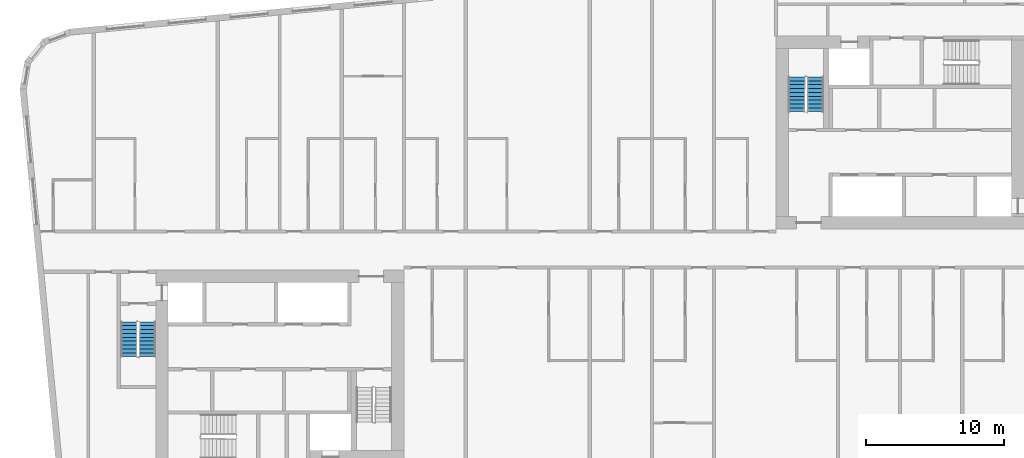
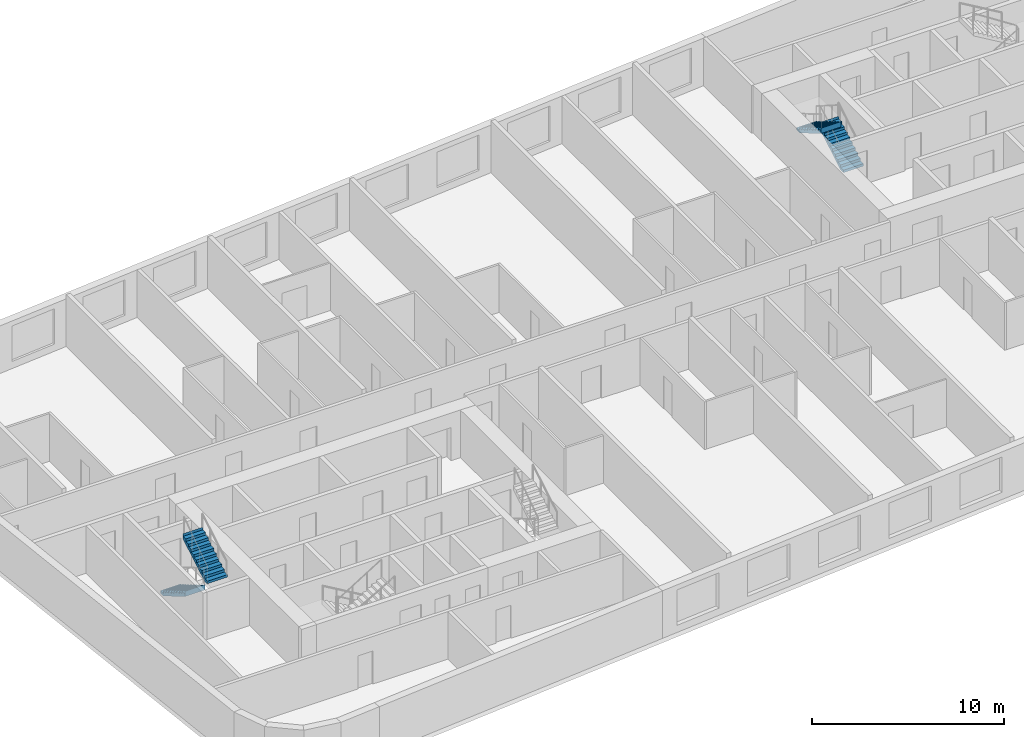
# One storey, part 10 of 12: 4 stair flights, 2 elements without a shape of their own.
"""IFC4 building model written with IfcOpenShell, lengths in metres."""

from ifc_helpers import new_model, si_unit, direction, frame, origin, place, context, subcontext, project, spatial, faceted_brep, material, type_object, element, aggregate, save


model = new_model("IFC4")

# Units and contexts
model_context = context("Model", 3, precision=1e-05, world=origin(), true_north=direction((0.0, 1.0)))
body_context = subcontext(model_context, "Body", "Model", "MODEL_VIEW")
ifc_project = project(units=[si_unit("LENGTHUNIT", "METRE"), si_unit("AREAUNIT", "SQUARE_METRE"), si_unit("VOLUMEUNIT", "CUBIC_METRE"), si_unit("PLANEANGLEUNIT", "RADIAN"), si_unit("MASSUNIT", "GRAM", prefix="KILO")], contexts=[model_context])

# Site, building, storey
site_placement = place(None, origin())
site = spatial("IfcSite", under=ifc_project, at=site_placement, CompositionType="ELEMENT")
building_placement = place(site_placement, origin())
building = spatial("IfcBuilding", under=site, at=building_placement, Name="Kajstack Hotel Tower", CompositionType="ELEMENT")
storey_placement = place(building_placement, frame((0.0, 0.0, 301.5)))
storey = spatial("IfcBuildingStorey", under=building, at=storey_placement, Name="L76", CompositionType="ELEMENT", Elevation=301.5)

# Stair, stair flights
ifc_material = material(Name="Concrete C40/50", Category="concrete")
stair_type = type_object("IfcStairType", Name="Exit stair 1200", PredefinedType="HALF_TURN_STAIR", material=ifc_material)
stair_1_placement = place(storey_placement, origin())
stair_1 = element("IfcStair", 1, at=stair_1_placement, inside=storey, type_object=stair_type, Name="L76 stair W1", PredefinedType="HALF_TURN_STAIR")
stair_flight_type = type_object("IfcStairFlightType", Name="Exit stair flight 1200", PredefinedType="STRAIGHT", material=ifc_material)
stair_flight_1_placement = place(storey_placement, frame((-33.449951171875, -5.25, 0.0), z_axis=(0.0, 0.0, 1.0), x_axis=(0.0, -1.0, 0.0)))
stair_flight_1 = element("IfcStairFlight", 2, at=stair_flight_1_placement, type_object=stair_flight_type, Name="W1 flight 1", NumberOfRisers=10, NumberOfTreads=9, PredefinedType="STRAIGHT", RiserHeight=0.165, TreadLength=0.28, context=body_context, shape_type="Brep", body=[
    faceted_brep([(0.295654296875, -0.60009765625, 0.0), (2.5205078125, -0.60009765625, 1.31103515625), (2.5205078125, -0.60009765625, 1.64990234375), (2.52001953125, -0.60009765625, 1.64990234375), (2.52001953125, -0.60009765625, 1.485107421875), (2.239990234375, -0.60009765625, 1.485107421875), (2.239990234375, -0.60009765625, 1.320068359375), (1.9599609375, -0.60009765625, 1.320068359375), (1.9599609375, -0.60009765625, 1.155029296875), (1.679931640625, -0.60009765625, 1.155029296875), (1.679931640625, -0.60009765625, 0.989990234375), (1.39990234375, -0.60009765625, 0.989990234375), (1.39990234375, -0.60009765625, 0.824951171875), (1.1201171875, -0.60009765625, 0.824951171875), (1.1201171875, -0.60009765625, 0.659912109375), (0.840087890625, -0.60009765625, 0.659912109375), (0.840087890625, -0.60009765625, 0.4951171875), (0.56005859375, -0.60009765625, 0.4951171875), (0.56005859375, -0.60009765625, 0.330078125), (0.280029296875, -0.60009765625, 0.330078125), (0.280029296875, -0.60009765625, 0.1650390625), (-0.00048828125, -0.60009765625, 0.1650390625), (-0.00048828125, -0.60009765625, 0.0), (-0.00048828125, 0.60009765625, 0.0), (-0.00048828125, 0.60009765625, 0.1650390625), (0.280029296875, 0.60009765625, 0.1650390625), (0.280029296875, 0.60009765625, 0.330078125), (0.56005859375, 0.60009765625, 0.330078125), (0.56005859375, 0.60009765625, 0.4951171875), (0.840087890625, 0.60009765625, 0.4951171875), (0.840087890625, 0.60009765625, 0.659912109375), (1.1201171875, 0.60009765625, 0.659912109375), (1.1201171875, 0.60009765625, 0.824951171875), (1.39990234375, 0.60009765625, 0.824951171875), (1.39990234375, 0.60009765625, 0.989990234375), (1.679931640625, 0.60009765625, 0.989990234375), (1.679931640625, 0.60009765625, 1.155029296875), (1.9599609375, 0.60009765625, 1.155029296875), (1.9599609375, 0.60009765625, 1.320068359375), (2.239990234375, 0.60009765625, 1.320068359375), (2.239990234375, 0.60009765625, 1.485107421875), (2.52001953125, 0.60009765625, 1.485107421875), (2.52001953125, 0.60009765625, 1.64990234375), (2.5205078125, 0.60009765625, 1.64990234375), (2.5205078125, 0.60009765625, 1.31103515625), (0.295654296875, 0.60009765625, 0.0), (-0.00048828125, -0.300048828125, 0.1650390625), (-0.00048828125, 0.0, 0.1650390625), (-0.00048828125, 0.300048828125, 0.1650390625), (-0.00048828125, 0.300048828125, 0.0), (-0.00048828125, 0.0, 0.0), (-0.00048828125, -0.300048828125, 0.0), (0.280029296875, -0.300048828125, 0.1650390625), (0.280029296875, 0.0, 0.1650390625), (0.280029296875, 0.300048828125, 0.1650390625), (0.280029296875, -0.300048828125, 0.330078125), (0.280029296875, 0.0, 0.330078125), (0.280029296875, 0.300048828125, 0.330078125), (0.56005859375, -0.300048828125, 0.330078125), (0.56005859375, 0.0, 0.330078125), (0.56005859375, 0.300048828125, 0.330078125), (0.56005859375, -0.300048828125, 0.4951171875), (0.56005859375, 0.0, 0.4951171875), (0.56005859375, 0.300048828125, 0.4951171875), (0.840087890625, -0.300048828125, 0.4951171875), (0.840087890625, 0.0, 0.4951171875), (0.840087890625, 0.300048828125, 0.4951171875), (0.840087890625, -0.300048828125, 0.659912109375), (0.840087890625, 0.0, 0.659912109375), (0.840087890625, 0.300048828125, 0.659912109375), (1.1201171875, -0.300048828125, 0.659912109375), (1.1201171875, 0.0, 0.659912109375), (1.1201171875, 0.300048828125, 0.659912109375), (1.1201171875, -0.300048828125, 0.824951171875), (1.1201171875, 0.0, 0.824951171875), (1.1201171875, 0.300048828125, 0.824951171875), (1.39990234375, -0.300048828125, 0.824951171875), (1.39990234375, 0.0, 0.824951171875), (1.39990234375, 0.300048828125, 0.824951171875), (1.39990234375, -0.300048828125, 0.989990234375), (1.39990234375, 0.0, 0.989990234375), (1.39990234375, 0.300048828125, 0.989990234375), (1.679931640625, -0.300048828125, 0.989990234375), (1.679931640625, 0.0, 0.989990234375), (1.679931640625, 0.300048828125, 0.989990234375), (1.679931640625, -0.300048828125, 1.155029296875), (1.679931640625, 0.0, 1.155029296875), (1.679931640625, 0.300048828125, 1.155029296875), (1.9599609375, -0.300048828125, 1.155029296875), (1.9599609375, 0.0, 1.155029296875), (1.9599609375, 0.300048828125, 1.155029296875), (1.9599609375, -0.300048828125, 1.320068359375), (1.9599609375, 0.0, 1.320068359375), (1.9599609375, 0.300048828125, 1.320068359375), (2.239990234375, -0.300048828125, 1.320068359375), (2.239990234375, 0.0, 1.320068359375), (2.239990234375, 0.300048828125, 1.320068359375), (2.239990234375, -0.300048828125, 1.485107421875), (2.239990234375, 0.0, 1.485107421875), (2.239990234375, 0.300048828125, 1.485107421875), (2.52001953125, -0.300048828125, 1.485107421875), (2.52001953125, 0.0, 1.485107421875), (2.52001953125, 0.300048828125, 1.485107421875), (2.52001953125, -0.300048828125, 1.64990234375), (2.52001953125, 0.0, 1.64990234375), (2.52001953125, 0.300048828125, 1.64990234375), (2.5205078125, -0.300048828125, 1.64990234375), (2.5205078125, 0.0, 1.64990234375), (2.5205078125, 0.300048828125, 1.64990234375), (2.5205078125, -0.300048828125, 1.31103515625), (2.5205078125, 0.0, 1.31103515625), (2.5205078125, 0.300048828125, 1.31103515625), (0.295654296875, -0.300048828125, 0.0), (0.295654296875, 0.0, 0.0), (0.295654296875, 0.300048828125, 0.0)], [[[0, 1, 2, 3, 4, 5, 6, 7, 8, 9, 10, 11, 12, 13, 14, 15, 16, 17, 18, 19, 20, 21, 22]], [[23, 24, 25, 26, 27, 28, 29, 30, 31, 32, 33, 34, 35, 36, 37, 38, 39, 40, 41, 42, 43, 44, 45]], [[21, 46, 47, 48, 24, 23, 49, 50, 51, 22]], [[20, 52, 53, 54, 25, 24, 48, 47, 46, 21]], [[19, 55, 56, 57, 26, 25, 54, 53, 52, 20]], [[18, 58, 59, 60, 27, 26, 57, 56, 55, 19]], [[17, 61, 62, 63, 28, 27, 60, 59, 58, 18]], [[16, 64, 65, 66, 29, 28, 63, 62, 61, 17]], [[15, 67, 68, 69, 30, 29, 66, 65, 64, 16]], [[14, 70, 71, 72, 31, 30, 69, 68, 67, 15]], [[13, 73, 74, 75, 32, 31, 72, 71, 70, 14]], [[12, 76, 77, 78, 33, 32, 75, 74, 73, 13]], [[11, 79, 80, 81, 34, 33, 78, 77, 76, 12]], [[10, 82, 83, 84, 35, 34, 81, 80, 79, 11]], [[9, 85, 86, 87, 36, 35, 84, 83, 82, 10]], [[8, 88, 89, 90, 37, 36, 87, 86, 85, 9]], [[7, 91, 92, 93, 38, 37, 90, 89, 88, 8]], [[6, 94, 95, 96, 39, 38, 93, 92, 91, 7]], [[5, 97, 98, 99, 40, 39, 96, 95, 94, 6]], [[4, 100, 101, 102, 41, 40, 99, 98, 97, 5]], [[3, 103, 104, 105, 42, 41, 102, 101, 100, 4]], [[2, 106, 107, 108, 43, 42, 105, 104, 103, 3]], [[1, 109, 110, 111, 44, 43, 108, 107, 106, 2]], [[0, 112, 113, 114, 45, 44, 111, 110, 109, 1]], [[22, 51, 50, 49, 23, 45, 114, 113, 112, 0]]]),
])
stair_flight_2_placement = place(storey_placement, frame((-32.10009765625, -7.77001953125, 1.64990234375), z_axis=(0.0, 0.0, 1.0), x_axis=(0.0, 1.0, 0.0)))
stair_flight_2 = element("IfcStairFlight", 3, at=stair_flight_2_placement, type_object=stair_flight_type, Name="W1 flight 2", NumberOfRisers=10, NumberOfTreads=9, PredefinedType="STRAIGHT", RiserHeight=0.165, TreadLength=0.28, context=body_context, shape_type="Brep", body=[
    faceted_brep([(0.295654296875, -0.60009765625, 0.0), (2.5205078125, -0.60009765625, 1.31103515625), (2.5205078125, -0.60009765625, 1.64990234375), (2.52001953125, -0.60009765625, 1.64990234375), (2.52001953125, -0.60009765625, 1.485107421875), (2.239990234375, -0.60009765625, 1.485107421875), (2.239990234375, -0.60009765625, 1.320068359375), (1.9599609375, -0.60009765625, 1.320068359375), (1.9599609375, -0.60009765625, 1.155029296875), (1.679931640625, -0.60009765625, 1.155029296875), (1.679931640625, -0.60009765625, 0.989990234375), (1.39990234375, -0.60009765625, 0.989990234375), (1.39990234375, -0.60009765625, 0.824951171875), (1.1201171875, -0.60009765625, 0.824951171875), (1.1201171875, -0.60009765625, 0.659912109375), (0.840087890625, -0.60009765625, 0.659912109375), (0.840087890625, -0.60009765625, 0.4951171875), (0.56005859375, -0.60009765625, 0.4951171875), (0.56005859375, -0.60009765625, 0.330078125), (0.280029296875, -0.60009765625, 0.330078125), (0.280029296875, -0.60009765625, 0.1650390625), (-0.00048828125, -0.60009765625, 0.1650390625), (-0.00048828125, -0.60009765625, 0.0), (-0.00048828125, 0.60009765625, 0.0), (-0.00048828125, 0.60009765625, 0.1650390625), (0.280029296875, 0.60009765625, 0.1650390625), (0.280029296875, 0.60009765625, 0.330078125), (0.56005859375, 0.60009765625, 0.330078125), (0.56005859375, 0.60009765625, 0.4951171875), (0.840087890625, 0.60009765625, 0.4951171875), (0.840087890625, 0.60009765625, 0.659912109375), (1.1201171875, 0.60009765625, 0.659912109375), (1.1201171875, 0.60009765625, 0.824951171875), (1.39990234375, 0.60009765625, 0.824951171875), (1.39990234375, 0.60009765625, 0.989990234375), (1.679931640625, 0.60009765625, 0.989990234375), (1.679931640625, 0.60009765625, 1.155029296875), (1.9599609375, 0.60009765625, 1.155029296875), (1.9599609375, 0.60009765625, 1.320068359375), (2.239990234375, 0.60009765625, 1.320068359375), (2.239990234375, 0.60009765625, 1.485107421875), (2.52001953125, 0.60009765625, 1.485107421875), (2.52001953125, 0.60009765625, 1.64990234375), (2.5205078125, 0.60009765625, 1.64990234375), (2.5205078125, 0.60009765625, 1.31103515625), (0.295654296875, 0.60009765625, 0.0), (-0.00048828125, -0.300048828125, 0.1650390625), (-0.00048828125, 0.0, 0.1650390625), (-0.00048828125, 0.300048828125, 0.1650390625), (-0.00048828125, 0.300048828125, 0.0), (-0.00048828125, 0.0, 0.0), (-0.00048828125, -0.300048828125, 0.0), (0.280029296875, -0.300048828125, 0.1650390625), (0.280029296875, 0.0, 0.1650390625), (0.280029296875, 0.300048828125, 0.1650390625), (0.280029296875, -0.300048828125, 0.330078125), (0.280029296875, 0.0, 0.330078125), (0.280029296875, 0.300048828125, 0.330078125), (0.56005859375, -0.300048828125, 0.330078125), (0.56005859375, 0.0, 0.330078125), (0.56005859375, 0.300048828125, 0.330078125), (0.56005859375, -0.300048828125, 0.4951171875), (0.56005859375, 0.0, 0.4951171875), (0.56005859375, 0.300048828125, 0.4951171875), (0.840087890625, -0.300048828125, 0.4951171875), (0.840087890625, 0.0, 0.4951171875), (0.840087890625, 0.300048828125, 0.4951171875), (0.840087890625, -0.300048828125, 0.659912109375), (0.840087890625, 0.0, 0.659912109375), (0.840087890625, 0.300048828125, 0.659912109375), (1.1201171875, -0.300048828125, 0.659912109375), (1.1201171875, 0.0, 0.659912109375), (1.1201171875, 0.300048828125, 0.659912109375), (1.1201171875, -0.300048828125, 0.824951171875), (1.1201171875, 0.0, 0.824951171875), (1.1201171875, 0.300048828125, 0.824951171875), (1.39990234375, -0.300048828125, 0.824951171875), (1.39990234375, 0.0, 0.824951171875), (1.39990234375, 0.300048828125, 0.824951171875), (1.39990234375, -0.300048828125, 0.989990234375), (1.39990234375, 0.0, 0.989990234375), (1.39990234375, 0.300048828125, 0.989990234375), (1.679931640625, -0.300048828125, 0.989990234375), (1.679931640625, 0.0, 0.989990234375), (1.679931640625, 0.300048828125, 0.989990234375), (1.679931640625, -0.300048828125, 1.155029296875), (1.679931640625, 0.0, 1.155029296875), (1.679931640625, 0.300048828125, 1.155029296875), (1.9599609375, -0.300048828125, 1.155029296875), (1.9599609375, 0.0, 1.155029296875), (1.9599609375, 0.300048828125, 1.155029296875), (1.9599609375, -0.300048828125, 1.320068359375), (1.9599609375, 0.0, 1.320068359375), (1.9599609375, 0.300048828125, 1.320068359375), (2.239990234375, -0.300048828125, 1.320068359375), (2.239990234375, 0.0, 1.320068359375), (2.239990234375, 0.300048828125, 1.320068359375), (2.239990234375, -0.300048828125, 1.485107421875), (2.239990234375, 0.0, 1.485107421875), (2.239990234375, 0.300048828125, 1.485107421875), (2.52001953125, -0.300048828125, 1.485107421875), (2.52001953125, 0.0, 1.485107421875), (2.52001953125, 0.300048828125, 1.485107421875), (2.52001953125, -0.300048828125, 1.64990234375), (2.52001953125, 0.0, 1.64990234375), (2.52001953125, 0.300048828125, 1.64990234375), (2.5205078125, -0.300048828125, 1.64990234375), (2.5205078125, 0.0, 1.64990234375), (2.5205078125, 0.300048828125, 1.64990234375), (2.5205078125, -0.300048828125, 1.31103515625), (2.5205078125, 0.0, 1.31103515625), (2.5205078125, 0.300048828125, 1.31103515625), (0.295654296875, -0.300048828125, 0.0), (0.295654296875, 0.0, 0.0), (0.295654296875, 0.300048828125, 0.0)], [[[0, 1, 2, 3, 4, 5, 6, 7, 8, 9, 10, 11, 12, 13, 14, 15, 16, 17, 18, 19, 20, 21, 22]], [[23, 24, 25, 26, 27, 28, 29, 30, 31, 32, 33, 34, 35, 36, 37, 38, 39, 40, 41, 42, 43, 44, 45]], [[21, 46, 47, 48, 24, 23, 49, 50, 51, 22]], [[20, 52, 53, 54, 25, 24, 48, 47, 46, 21]], [[19, 55, 56, 57, 26, 25, 54, 53, 52, 20]], [[18, 58, 59, 60, 27, 26, 57, 56, 55, 19]], [[17, 61, 62, 63, 28, 27, 60, 59, 58, 18]], [[16, 64, 65, 66, 29, 28, 63, 62, 61, 17]], [[15, 67, 68, 69, 30, 29, 66, 65, 64, 16]], [[14, 70, 71, 72, 31, 30, 69, 68, 67, 15]], [[13, 73, 74, 75, 32, 31, 72, 71, 70, 14]], [[12, 76, 77, 78, 33, 32, 75, 74, 73, 13]], [[11, 79, 80, 81, 34, 33, 78, 77, 76, 12]], [[10, 82, 83, 84, 35, 34, 81, 80, 79, 11]], [[9, 85, 86, 87, 36, 35, 84, 83, 82, 10]], [[8, 88, 89, 90, 37, 36, 87, 86, 85, 9]], [[7, 91, 92, 93, 38, 37, 90, 89, 88, 8]], [[6, 94, 95, 96, 39, 38, 93, 92, 91, 7]], [[5, 97, 98, 99, 40, 39, 96, 95, 94, 6]], [[4, 100, 101, 102, 41, 40, 99, 98, 97, 5]], [[3, 103, 104, 105, 42, 41, 102, 101, 100, 4]], [[2, 106, 107, 108, 43, 42, 105, 104, 103, 3]], [[1, 109, 110, 111, 44, 43, 108, 107, 106, 2]], [[0, 112, 113, 114, 45, 44, 111, 110, 109, 1]], [[22, 51, 50, 49, 23, 45, 114, 113, 112, 0]]]),
])
aggregate(stair_1, [stair_flight_1, stair_flight_2])

stair_2_placement = place(storey_placement, origin())
stair_2 = element("IfcStair", 4, at=stair_2_placement, inside=storey, type_object=stair_type, Name="L76 stair E2", PredefinedType="HALF_TURN_STAIR")
stair_flight_3_placement = place(storey_placement, frame((16.35009765625, 10.0, 0.0), z_axis=(0.0, 0.0, 1.0), x_axis=(0.0, 1.0, 0.0)))
stair_flight_3 = element("IfcStairFlight", 5, at=stair_flight_3_placement, type_object=stair_flight_type, Name="E2 flight 1", NumberOfRisers=10, NumberOfTreads=9, PredefinedType="STRAIGHT", RiserHeight=0.165, TreadLength=0.28, context=body_context, shape_type="Brep", body=[
    faceted_brep([(0.295654296875, -0.60009765625, 0.0), (2.5205078125, -0.60009765625, 1.31103515625), (2.5205078125, -0.60009765625, 1.64990234375), (2.52001953125, -0.60009765625, 1.64990234375), (2.52001953125, -0.60009765625, 1.485107421875), (2.239990234375, -0.60009765625, 1.485107421875), (2.239990234375, -0.60009765625, 1.320068359375), (1.9599609375, -0.60009765625, 1.320068359375), (1.9599609375, -0.60009765625, 1.155029296875), (1.679931640625, -0.60009765625, 1.155029296875), (1.679931640625, -0.60009765625, 0.989990234375), (1.39990234375, -0.60009765625, 0.989990234375), (1.39990234375, -0.60009765625, 0.824951171875), (1.1201171875, -0.60009765625, 0.824951171875), (1.1201171875, -0.60009765625, 0.659912109375), (0.840087890625, -0.60009765625, 0.659912109375), (0.840087890625, -0.60009765625, 0.4951171875), (0.56005859375, -0.60009765625, 0.4951171875), (0.56005859375, -0.60009765625, 0.330078125), (0.280029296875, -0.60009765625, 0.330078125), (0.280029296875, -0.60009765625, 0.1650390625), (-0.00048828125, -0.60009765625, 0.1650390625), (-0.00048828125, -0.60009765625, 0.0), (-0.00048828125, 0.60009765625, 0.0), (-0.00048828125, 0.60009765625, 0.1650390625), (0.280029296875, 0.60009765625, 0.1650390625), (0.280029296875, 0.60009765625, 0.330078125), (0.56005859375, 0.60009765625, 0.330078125), (0.56005859375, 0.60009765625, 0.4951171875), (0.840087890625, 0.60009765625, 0.4951171875), (0.840087890625, 0.60009765625, 0.659912109375), (1.1201171875, 0.60009765625, 0.659912109375), (1.1201171875, 0.60009765625, 0.824951171875), (1.39990234375, 0.60009765625, 0.824951171875), (1.39990234375, 0.60009765625, 0.989990234375), (1.679931640625, 0.60009765625, 0.989990234375), (1.679931640625, 0.60009765625, 1.155029296875), (1.9599609375, 0.60009765625, 1.155029296875), (1.9599609375, 0.60009765625, 1.320068359375), (2.239990234375, 0.60009765625, 1.320068359375), (2.239990234375, 0.60009765625, 1.485107421875), (2.52001953125, 0.60009765625, 1.485107421875), (2.52001953125, 0.60009765625, 1.64990234375), (2.5205078125, 0.60009765625, 1.64990234375), (2.5205078125, 0.60009765625, 1.31103515625), (0.295654296875, 0.60009765625, 0.0), (-0.00048828125, -0.300048828125, 0.1650390625), (-0.00048828125, 0.0, 0.1650390625), (-0.00048828125, 0.300048828125, 0.1650390625), (-0.00048828125, 0.300048828125, 0.0), (-0.00048828125, 0.0, 0.0), (-0.00048828125, -0.300048828125, 0.0), (0.280029296875, -0.300048828125, 0.1650390625), (0.280029296875, 0.0, 0.1650390625), (0.280029296875, 0.300048828125, 0.1650390625), (0.280029296875, -0.300048828125, 0.330078125), (0.280029296875, 0.0, 0.330078125), (0.280029296875, 0.300048828125, 0.330078125), (0.56005859375, -0.300048828125, 0.330078125), (0.56005859375, 0.0, 0.330078125), (0.56005859375, 0.300048828125, 0.330078125), (0.56005859375, -0.300048828125, 0.4951171875), (0.56005859375, 0.0, 0.4951171875), (0.56005859375, 0.300048828125, 0.4951171875), (0.840087890625, -0.300048828125, 0.4951171875), (0.840087890625, 0.0, 0.4951171875), (0.840087890625, 0.300048828125, 0.4951171875), (0.840087890625, -0.300048828125, 0.659912109375), (0.840087890625, 0.0, 0.659912109375), (0.840087890625, 0.300048828125, 0.659912109375), (1.1201171875, -0.300048828125, 0.659912109375), (1.1201171875, 0.0, 0.659912109375), (1.1201171875, 0.300048828125, 0.659912109375), (1.1201171875, -0.300048828125, 0.824951171875), (1.1201171875, 0.0, 0.824951171875), (1.1201171875, 0.300048828125, 0.824951171875), (1.39990234375, -0.300048828125, 0.824951171875), (1.39990234375, 0.0, 0.824951171875), (1.39990234375, 0.300048828125, 0.824951171875), (1.39990234375, -0.300048828125, 0.989990234375), (1.39990234375, 0.0, 0.989990234375), (1.39990234375, 0.300048828125, 0.989990234375), (1.679931640625, -0.300048828125, 0.989990234375), (1.679931640625, 0.0, 0.989990234375), (1.679931640625, 0.300048828125, 0.989990234375), (1.679931640625, -0.300048828125, 1.155029296875), (1.679931640625, 0.0, 1.155029296875), (1.679931640625, 0.300048828125, 1.155029296875), (1.9599609375, -0.300048828125, 1.155029296875), (1.9599609375, 0.0, 1.155029296875), (1.9599609375, 0.300048828125, 1.155029296875), (1.9599609375, -0.300048828125, 1.320068359375), (1.9599609375, 0.0, 1.320068359375), (1.9599609375, 0.300048828125, 1.320068359375), (2.239990234375, -0.300048828125, 1.320068359375), (2.239990234375, 0.0, 1.320068359375), (2.239990234375, 0.300048828125, 1.320068359375), (2.239990234375, -0.300048828125, 1.485107421875), (2.239990234375, 0.0, 1.485107421875), (2.239990234375, 0.300048828125, 1.485107421875), (2.52001953125, -0.300048828125, 1.485107421875), (2.52001953125, 0.0, 1.485107421875), (2.52001953125, 0.300048828125, 1.485107421875), (2.52001953125, -0.300048828125, 1.64990234375), (2.52001953125, 0.0, 1.64990234375), (2.52001953125, 0.300048828125, 1.64990234375), (2.5205078125, -0.300048828125, 1.64990234375), (2.5205078125, 0.0, 1.64990234375), (2.5205078125, 0.300048828125, 1.64990234375), (2.5205078125, -0.300048828125, 1.31103515625), (2.5205078125, 0.0, 1.31103515625), (2.5205078125, 0.300048828125, 1.31103515625), (0.295654296875, -0.300048828125, 0.0), (0.295654296875, 0.0, 0.0), (0.295654296875, 0.300048828125, 0.0)], [[[0, 1, 2, 3, 4, 5, 6, 7, 8, 9, 10, 11, 12, 13, 14, 15, 16, 17, 18, 19, 20, 21, 22]], [[23, 24, 25, 26, 27, 28, 29, 30, 31, 32, 33, 34, 35, 36, 37, 38, 39, 40, 41, 42, 43, 44, 45]], [[21, 46, 47, 48, 24, 23, 49, 50, 51, 22]], [[20, 52, 53, 54, 25, 24, 48, 47, 46, 21]], [[19, 55, 56, 57, 26, 25, 54, 53, 52, 20]], [[18, 58, 59, 60, 27, 26, 57, 56, 55, 19]], [[17, 61, 62, 63, 28, 27, 60, 59, 58, 18]], [[16, 64, 65, 66, 29, 28, 63, 62, 61, 17]], [[15, 67, 68, 69, 30, 29, 66, 65, 64, 16]], [[14, 70, 71, 72, 31, 30, 69, 68, 67, 15]], [[13, 73, 74, 75, 32, 31, 72, 71, 70, 14]], [[12, 76, 77, 78, 33, 32, 75, 74, 73, 13]], [[11, 79, 80, 81, 34, 33, 78, 77, 76, 12]], [[10, 82, 83, 84, 35, 34, 81, 80, 79, 11]], [[9, 85, 86, 87, 36, 35, 84, 83, 82, 10]], [[8, 88, 89, 90, 37, 36, 87, 86, 85, 9]], [[7, 91, 92, 93, 38, 37, 90, 89, 88, 8]], [[6, 94, 95, 96, 39, 38, 93, 92, 91, 7]], [[5, 97, 98, 99, 40, 39, 96, 95, 94, 6]], [[4, 100, 101, 102, 41, 40, 99, 98, 97, 5]], [[3, 103, 104, 105, 42, 41, 102, 101, 100, 4]], [[2, 106, 107, 108, 43, 42, 105, 104, 103, 3]], [[1, 109, 110, 111, 44, 43, 108, 107, 106, 2]], [[0, 112, 113, 114, 45, 44, 111, 110, 109, 1]], [[22, 51, 50, 49, 23, 45, 114, 113, 112, 0]]]),
])
stair_flight_4_placement = place(storey_placement, frame((15.0, 12.52001953125, 1.64990234375), z_axis=(0.0, 0.0, 1.0), x_axis=(0.0, -1.0, 0.0)))
stair_flight_4 = element("IfcStairFlight", 6, at=stair_flight_4_placement, type_object=stair_flight_type, Name="E2 flight 2", NumberOfRisers=10, NumberOfTreads=9, PredefinedType="STRAIGHT", RiserHeight=0.165, TreadLength=0.28, context=body_context, shape_type="Brep", body=[
    faceted_brep([(0.295654296875, -0.60009765625, 0.0), (2.5205078125, -0.60009765625, 1.31103515625), (2.5205078125, -0.60009765625, 1.64990234375), (2.52001953125, -0.60009765625, 1.64990234375), (2.52001953125, -0.60009765625, 1.485107421875), (2.239990234375, -0.60009765625, 1.485107421875), (2.239990234375, -0.60009765625, 1.320068359375), (1.9599609375, -0.60009765625, 1.320068359375), (1.9599609375, -0.60009765625, 1.155029296875), (1.679931640625, -0.60009765625, 1.155029296875), (1.679931640625, -0.60009765625, 0.989990234375), (1.39990234375, -0.60009765625, 0.989990234375), (1.39990234375, -0.60009765625, 0.824951171875), (1.1201171875, -0.60009765625, 0.824951171875), (1.1201171875, -0.60009765625, 0.659912109375), (0.840087890625, -0.60009765625, 0.659912109375), (0.840087890625, -0.60009765625, 0.4951171875), (0.56005859375, -0.60009765625, 0.4951171875), (0.56005859375, -0.60009765625, 0.330078125), (0.280029296875, -0.60009765625, 0.330078125), (0.280029296875, -0.60009765625, 0.1650390625), (-0.00048828125, -0.60009765625, 0.1650390625), (-0.00048828125, -0.60009765625, 0.0), (-0.00048828125, 0.60009765625, 0.0), (-0.00048828125, 0.60009765625, 0.1650390625), (0.280029296875, 0.60009765625, 0.1650390625), (0.280029296875, 0.60009765625, 0.330078125), (0.56005859375, 0.60009765625, 0.330078125), (0.56005859375, 0.60009765625, 0.4951171875), (0.840087890625, 0.60009765625, 0.4951171875), (0.840087890625, 0.60009765625, 0.659912109375), (1.1201171875, 0.60009765625, 0.659912109375), (1.1201171875, 0.60009765625, 0.824951171875), (1.39990234375, 0.60009765625, 0.824951171875), (1.39990234375, 0.60009765625, 0.989990234375), (1.679931640625, 0.60009765625, 0.989990234375), (1.679931640625, 0.60009765625, 1.155029296875), (1.9599609375, 0.60009765625, 1.155029296875), (1.9599609375, 0.60009765625, 1.320068359375), (2.239990234375, 0.60009765625, 1.320068359375), (2.239990234375, 0.60009765625, 1.485107421875), (2.52001953125, 0.60009765625, 1.485107421875), (2.52001953125, 0.60009765625, 1.64990234375), (2.5205078125, 0.60009765625, 1.64990234375), (2.5205078125, 0.60009765625, 1.31103515625), (0.295654296875, 0.60009765625, 0.0), (-0.00048828125, -0.300048828125, 0.1650390625), (-0.00048828125, 0.0, 0.1650390625), (-0.00048828125, 0.300048828125, 0.1650390625), (-0.00048828125, 0.300048828125, 0.0), (-0.00048828125, 0.0, 0.0), (-0.00048828125, -0.300048828125, 0.0), (0.280029296875, -0.300048828125, 0.1650390625), (0.280029296875, 0.0, 0.1650390625), (0.280029296875, 0.300048828125, 0.1650390625), (0.280029296875, -0.300048828125, 0.330078125), (0.280029296875, 0.0, 0.330078125), (0.280029296875, 0.300048828125, 0.330078125), (0.56005859375, -0.300048828125, 0.330078125), (0.56005859375, 0.0, 0.330078125), (0.56005859375, 0.300048828125, 0.330078125), (0.56005859375, -0.300048828125, 0.4951171875), (0.56005859375, 0.0, 0.4951171875), (0.56005859375, 0.300048828125, 0.4951171875), (0.840087890625, -0.300048828125, 0.4951171875), (0.840087890625, 0.0, 0.4951171875), (0.840087890625, 0.300048828125, 0.4951171875), (0.840087890625, -0.300048828125, 0.659912109375), (0.840087890625, 0.0, 0.659912109375), (0.840087890625, 0.300048828125, 0.659912109375), (1.1201171875, -0.300048828125, 0.659912109375), (1.1201171875, 0.0, 0.659912109375), (1.1201171875, 0.300048828125, 0.659912109375), (1.1201171875, -0.300048828125, 0.824951171875), (1.1201171875, 0.0, 0.824951171875), (1.1201171875, 0.300048828125, 0.824951171875), (1.39990234375, -0.300048828125, 0.824951171875), (1.39990234375, 0.0, 0.824951171875), (1.39990234375, 0.300048828125, 0.824951171875), (1.39990234375, -0.300048828125, 0.989990234375), (1.39990234375, 0.0, 0.989990234375), (1.39990234375, 0.300048828125, 0.989990234375), (1.679931640625, -0.300048828125, 0.989990234375), (1.679931640625, 0.0, 0.989990234375), (1.679931640625, 0.300048828125, 0.989990234375), (1.679931640625, -0.300048828125, 1.155029296875), (1.679931640625, 0.0, 1.155029296875), (1.679931640625, 0.300048828125, 1.155029296875), (1.9599609375, -0.300048828125, 1.155029296875), (1.9599609375, 0.0, 1.155029296875), (1.9599609375, 0.300048828125, 1.155029296875), (1.9599609375, -0.300048828125, 1.320068359375), (1.9599609375, 0.0, 1.320068359375), (1.9599609375, 0.300048828125, 1.320068359375), (2.239990234375, -0.300048828125, 1.320068359375), (2.239990234375, 0.0, 1.320068359375), (2.239990234375, 0.300048828125, 1.320068359375), (2.239990234375, -0.300048828125, 1.485107421875), (2.239990234375, 0.0, 1.485107421875), (2.239990234375, 0.300048828125, 1.485107421875), (2.52001953125, -0.300048828125, 1.485107421875), (2.52001953125, 0.0, 1.485107421875), (2.52001953125, 0.300048828125, 1.485107421875), (2.52001953125, -0.300048828125, 1.64990234375), (2.52001953125, 0.0, 1.64990234375), (2.52001953125, 0.300048828125, 1.64990234375), (2.5205078125, -0.300048828125, 1.64990234375), (2.5205078125, 0.0, 1.64990234375), (2.5205078125, 0.300048828125, 1.64990234375), (2.5205078125, -0.300048828125, 1.31103515625), (2.5205078125, 0.0, 1.31103515625), (2.5205078125, 0.300048828125, 1.31103515625), (0.295654296875, -0.300048828125, 0.0), (0.295654296875, 0.0, 0.0), (0.295654296875, 0.300048828125, 0.0)], [[[0, 1, 2, 3, 4, 5, 6, 7, 8, 9, 10, 11, 12, 13, 14, 15, 16, 17, 18, 19, 20, 21, 22]], [[23, 24, 25, 26, 27, 28, 29, 30, 31, 32, 33, 34, 35, 36, 37, 38, 39, 40, 41, 42, 43, 44, 45]], [[21, 46, 47, 48, 24, 23, 49, 50, 51, 22]], [[20, 52, 53, 54, 25, 24, 48, 47, 46, 21]], [[19, 55, 56, 57, 26, 25, 54, 53, 52, 20]], [[18, 58, 59, 60, 27, 26, 57, 56, 55, 19]], [[17, 61, 62, 63, 28, 27, 60, 59, 58, 18]], [[16, 64, 65, 66, 29, 28, 63, 62, 61, 17]], [[15, 67, 68, 69, 30, 29, 66, 65, 64, 16]], [[14, 70, 71, 72, 31, 30, 69, 68, 67, 15]], [[13, 73, 74, 75, 32, 31, 72, 71, 70, 14]], [[12, 76, 77, 78, 33, 32, 75, 74, 73, 13]], [[11, 79, 80, 81, 34, 33, 78, 77, 76, 12]], [[10, 82, 83, 84, 35, 34, 81, 80, 79, 11]], [[9, 85, 86, 87, 36, 35, 84, 83, 82, 10]], [[8, 88, 89, 90, 37, 36, 87, 86, 85, 9]], [[7, 91, 92, 93, 38, 37, 90, 89, 88, 8]], [[6, 94, 95, 96, 39, 38, 93, 92, 91, 7]], [[5, 97, 98, 99, 40, 39, 96, 95, 94, 6]], [[4, 100, 101, 102, 41, 40, 99, 98, 97, 5]], [[3, 103, 104, 105, 42, 41, 102, 101, 100, 4]], [[2, 106, 107, 108, 43, 42, 105, 104, 103, 3]], [[1, 109, 110, 111, 44, 43, 108, 107, 106, 2]], [[0, 112, 113, 114, 45, 44, 111, 110, 109, 1]], [[22, 51, 50, 49, 23, 45, 114, 113, 112, 0]]]),
])
aggregate(stair_2, [stair_flight_3, stair_flight_4])

save(model, "model.ifc")
